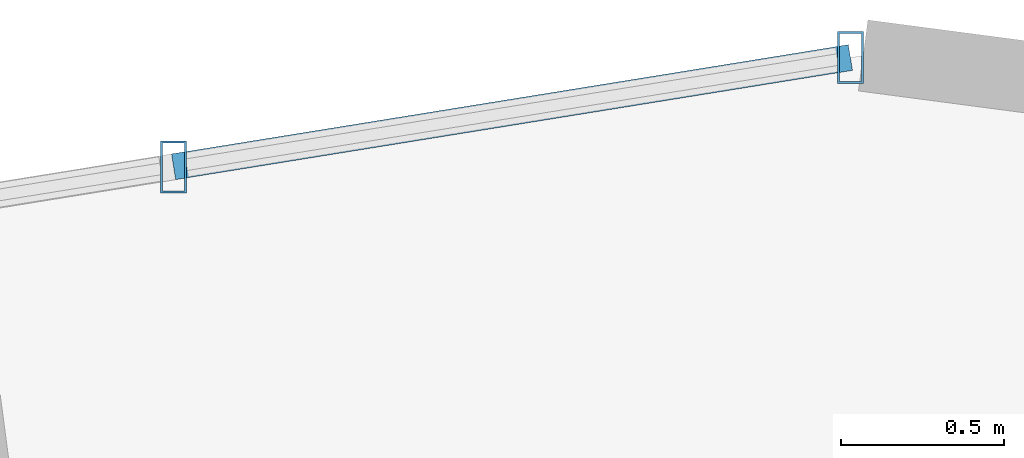
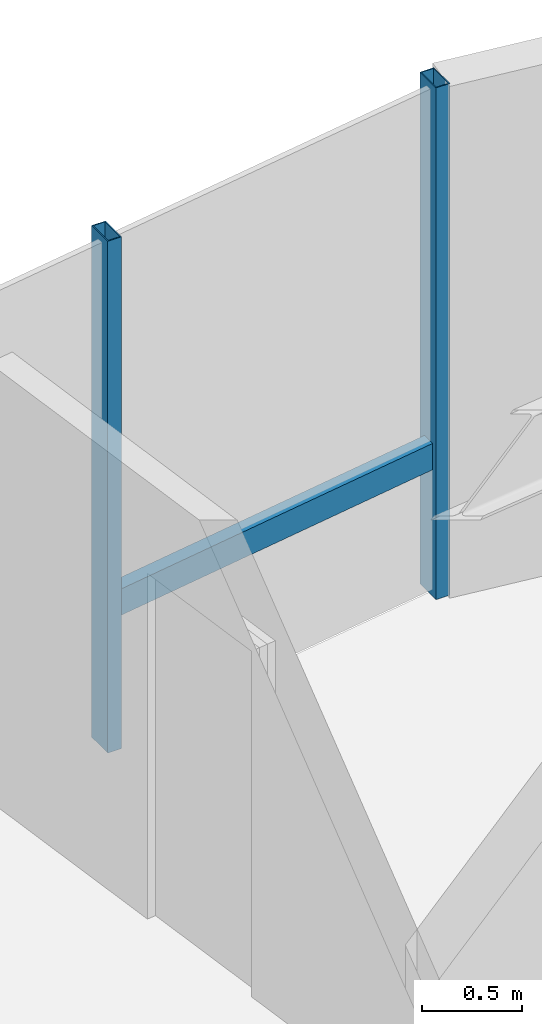
# One storey, part 15 of 22: 3 members, 1 element without a shape of its own.
"""IFC4 building model written with IfcOpenShell, lengths in metres."""

from ifc_helpers import new_model, si_unit, direction, frame, origin, origin_2d, place, context, subcontext, project, spatial, hollow_rectangle, extrude, source, transform, mapped, material, material_profile, profile_set, type_object, element, aggregate, save


model = new_model("IFC4")

# Units and contexts
model_context = context("Model", 3, precision=1e-05, world=origin(), true_north=direction((0.0, 1.0)))
body_context = subcontext(model_context, "Body", "Model", "MODEL_VIEW")
ifc_project = project(units=[si_unit("LENGTHUNIT", "METRE"), si_unit("AREAUNIT", "SQUARE_METRE"), si_unit("VOLUMEUNIT", "CUBIC_METRE"), si_unit("PLANEANGLEUNIT", "RADIAN"), si_unit("MASSUNIT", "GRAM", prefix="KILO")], contexts=[model_context])

# Site, building, storey
site_placement = place(None, origin())
site = spatial("IfcSite", under=ifc_project, at=site_placement, CompositionType="ELEMENT")
building_placement = place(site_placement, origin())
building = spatial("IfcBuilding", under=site, at=building_placement, Name="Sahyath Konkavel Grand Hotel", CompositionType="ELEMENT")
storey_placement = place(building_placement, frame((0.0, 0.0, 223.25)))
storey = spatial("IfcBuildingStorey", under=building, at=storey_placement, Name="L62", CompositionType="ELEMENT", Elevation=223.25)

# Curtain wall, members
ifc_material_1 = material(Name="Anodised Bronze Aluminium & Low-E Glazing", Category="aluminium")
curtain_wall_type = type_object("IfcCurtainWallType", Name="CW-ZONE4", PredefinedType="NOTDEFINED", material=ifc_material_1)
curtain_wall_placement = place(storey_placement, origin())
curtain_wall = element("IfcCurtainWall", 1, at=curtain_wall_placement, inside=storey, type_object=curtain_wall_type, Name="L62 Unitised Curtain Wall F12", PredefinedType="NOTDEFINED")
ifc_material_2 = material(Name="Anodised Bronze Aluminium", Category="aluminium")
ifc_material_profile_1 = material_profile(ifc_material_2, hollow_rectangle(XDim=0.080078125, YDim=0.159912109375, WallThickness=0.006103515625, at=origin_2d()), Name="RHS 160x80x6")
ifc_profile_set_1 = profile_set([ifc_material_profile_1], Name="Anodised Bronze Aluminium")
member_type_1 = type_object("IfcMemberType", Name="CW-MUL-160", PredefinedType="MULLION", material=ifc_profile_set_1)
shared_shape_1 = source(origin(), body_context, "Body", "SweptSolid", [
    extrude(hollow_rectangle(XDim=0.080078125, YDim=0.159912109375, WallThickness=0.006103515625, at=origin_2d()), origin(), (0.0, 0.0, 1.0), 3.110107421875),
])
member_1_placement = place(storey_placement, frame((1.113037109375, 20.290771484375, 0.0), z_axis=(0.0, 0.0, 1.0), x_axis=(1.0, 0.0, 0.0)))
member_1 = element("IfcMember", 2, at=member_1_placement, type_object=member_type_1, Name="L62 Curtain Wall Mullion F12-0", PredefinedType="MULLION", context=body_context, shape_type="MappedRepresentation", body=[
    mapped(shared_shape_1, transform((0.0, 0.0, 0.0), scale=1.0)),
])
member_2_placement = place(storey_placement, frame((-0.968017578125, 19.954833984375, 0.0), z_axis=(0.0, 0.0, 1.0), x_axis=(1.0, 0.0, 0.0)))
member_2 = element("IfcMember", 3, at=member_2_placement, type_object=member_type_1, Name="L62 Curtain Wall Mullion F12-1", PredefinedType="MULLION", context=body_context, shape_type="MappedRepresentation", body=[
    mapped(shared_shape_1, transform((0.0, 0.0, 0.0), scale=1.0)),
])
ifc_material_profile_2 = material_profile(ifc_material_2, hollow_rectangle(XDim=0.080078125, YDim=0.159912109375, WallThickness=0.006103515625, at=origin_2d()), Name="RHS 160x80x6")
ifc_profile_set_2 = profile_set([ifc_material_profile_2], Name="Anodised Bronze Aluminium")
member_type_2 = type_object("IfcMemberType", Name="CW-TRN-160", PredefinedType="USERDEFINED", material=ifc_profile_set_2)
shared_shape_2 = source(origin(), body_context, "Body", "SweptSolid", [
    extrude(hollow_rectangle(XDim=0.080078125, YDim=0.159912109375, WallThickness=0.006103515625, at=origin_2d()), origin(), (0.0, 0.0, 1.0), 2.10791015625),
])
member_3_placement = place(storey_placement, frame((1.113037109375, 20.290771484375, 0.85009765625), z_axis=(-0.987219969036, -0.159363523861, 0.0), x_axis=(0.159363523861, -0.987219969036, 0.0)))
member_3 = element("IfcMember", 4, at=member_3_placement, type_object=member_type_2, Name="L62 Curtain Wall Transom F12-0-spandrel", ObjectType="TRANSOM", PredefinedType="USERDEFINED", context=body_context, shape_type="MappedRepresentation", body=[
    mapped(shared_shape_2, transform((0.0, 0.0, 0.0), scale=1.0)),
])
aggregate(curtain_wall, [member_1, member_2, member_3])

save(model, "model.ifc")
